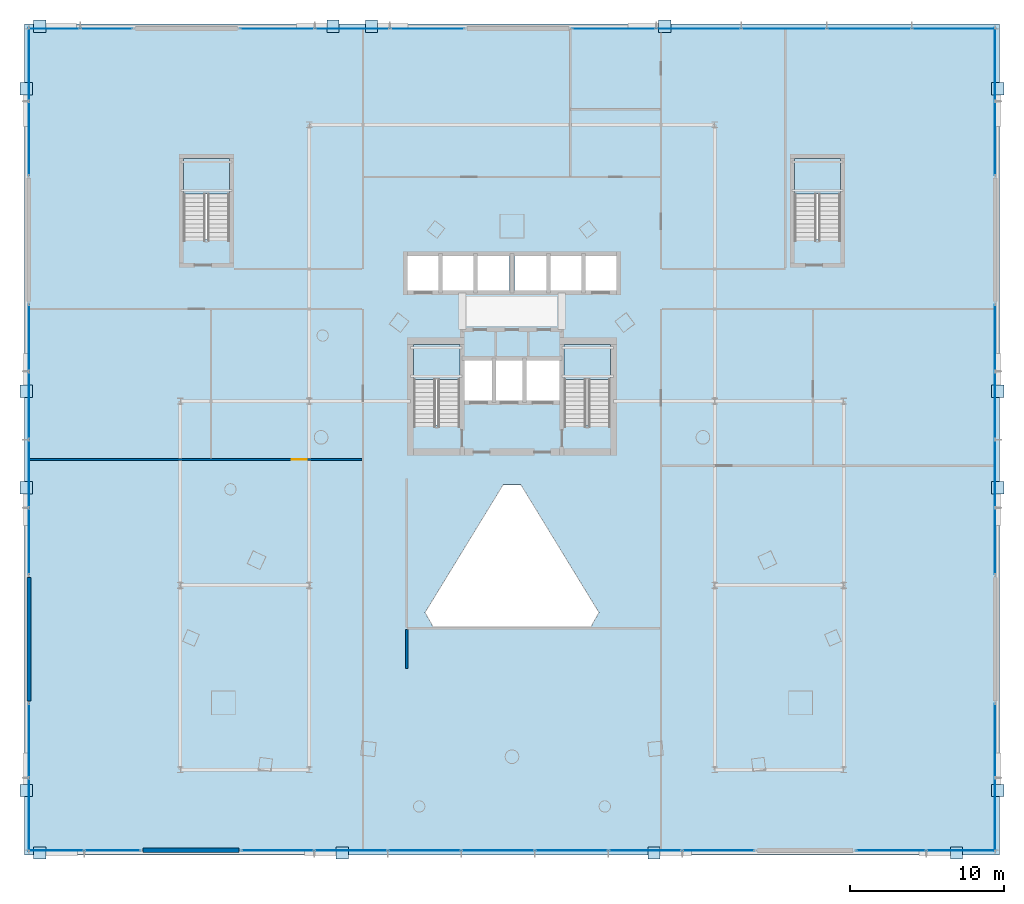
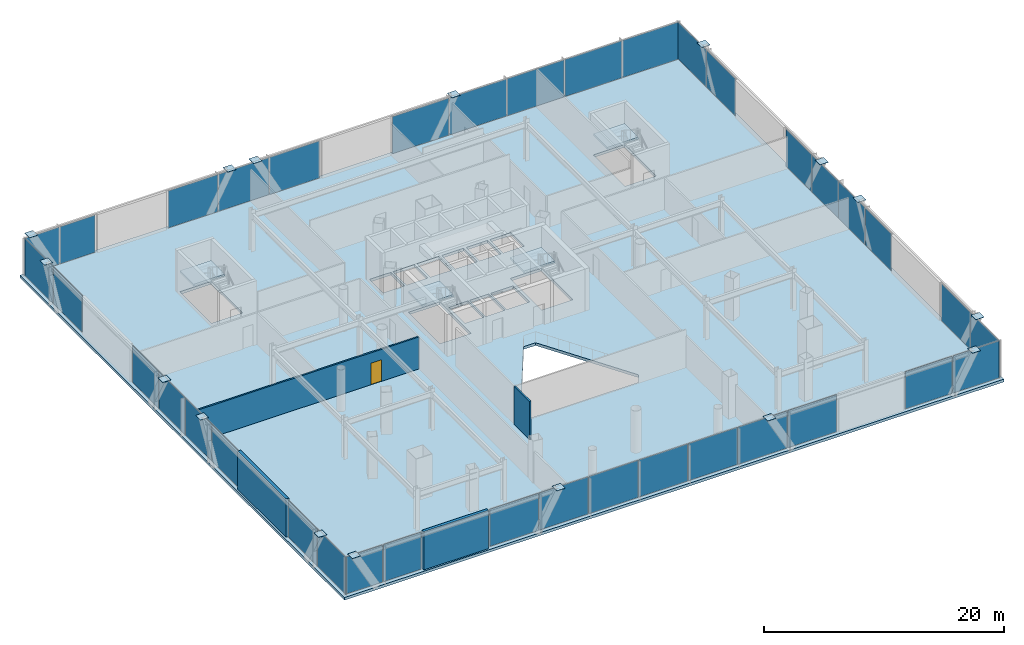
# One storey, part 36 of 46: 53 plates, 5 slabs, 4 walls, 1 door, 1 opening, 16 elements without a shape of their own.
"""IFC4 building model written with IfcOpenShell, lengths in metres."""

import ifcopenshell
import ifcopenshell.guid

model = None  # the IFC model being written
_history = None  # IfcOwnerHistory: only IFC2X3 demands one
_inside = {}  # id of a spatial element -> (the spatial element, [elements in it])
_under = {}  # id of a project, library or spatial element -> (it, [spatial elements below it])
_declared = {}  # id of a project -> (the project, [libraries it declares])
_typed = {}  # id of a type object -> (the type object, [elements of that type])
_made_of = {}  # id of a material, layer set ... -> (it, [elements and type objects made of it])


def new_model(schema):
    """Start an empty IFC model of exactly this schema.

    Asked for "IFC4X3", IfcOpenShell would pick the latest addendum, in which some entities
    have other attributes; the version numbers below select the first issue.
    IFC2X3 requires an IfcOwnerHistory on every rooted entity: one is made here for all.
    """
    global model, _history
    if schema == "IFC4X3":
        model = ifcopenshell.file(schema_version=(4, 3, 0, 0))
    else:
        model = ifcopenshell.file(schema=schema)
    _inside.clear()
    _under.clear()
    _declared.clear()
    _typed.clear()
    _made_of.clear()
    _history = None
    if model.schema == "IFC2X3":
        org = make("IfcOrganization", Name="unknown")
        user = make(
            "IfcPersonAndOrganization",
            ThePerson=make("IfcPerson", FamilyName="unknown"),
            TheOrganization=org,
        )
        app = make(
            "IfcApplication",
            ApplicationDeveloper=org,
            Version="unknown",
            ApplicationFullName="unknown",
            ApplicationIdentifier="unknown",
        )
        _history = make(
            "IfcOwnerHistory",
            OwningUser=user,
            OwningApplication=app,
            ChangeAction="ADDED",
            CreationDate=0,
        )
    return model


def make(cls, **values):
    """One entity of the class cls with the attributes given. An attribute that is None is left unset."""
    return model.create_entity(
        cls, **{name: value for name, value in values.items() if value is not None}
    )


def rooted(cls, **values):
    """An entity with a GlobalId (a new one), such as an element, a storey or a relation."""
    return make(cls, GlobalId=ifcopenshell.guid.new(), OwnerHistory=_history, **values)


def si_unit(unit_type, name, prefix=None):
    """IfcSIUnit, for example si_unit("LENGTHUNIT", "METRE", prefix="MILLI")."""
    return make("IfcSIUnit", UnitType=unit_type, Prefix=prefix, Name=name)


def assignment(units):
    """IfcUnitAssignment: the units of a project."""
    return None if units is None else make("IfcUnitAssignment", Units=units)


def point(xyz):
    """IfcCartesianPoint."""
    return None if xyz is None else make("IfcCartesianPoint", Coordinates=xyz)


def direction(xyz):
    """IfcDirection."""
    return None if xyz is None else make("IfcDirection", DirectionRatios=xyz)


def frame(location, z_axis=None, x_axis=None):
    """IfcAxis2Placement3D, a coordinate frame: its origin and axes. An axis left out is left unset."""
    return make(
        "IfcAxis2Placement3D",
        Location=point(location),
        Axis=direction(z_axis),
        RefDirection=direction(x_axis),
    )


def frame_2d(location, x_axis=None):
    """IfcAxis2Placement2D, a coordinate frame in the plane: its origin and x axis."""
    return make(
        "IfcAxis2Placement2D", Location=point(location), RefDirection=direction(x_axis)
    )


def origin():
    """The frame at (0, 0, 0) with its axes left unset."""
    return frame((0.0, 0.0, 0.0))


def origin_2d():
    """The frame at (0, 0) in the plane with its x axis left unset."""
    return frame_2d((0.0, 0.0))


def place(relative_to, where):
    """IfcLocalPlacement: puts the frame where relative to a parent placement (None: the world)."""
    return make(
        "IfcLocalPlacement", PlacementRelTo=relative_to, RelativePlacement=where
    )


def context(
    kind, dimensions, precision=None, world=None, true_north=None, identifier=None
):
    """IfcGeometricRepresentationContext, for example the 3D "Model" context."""
    return make(
        "IfcGeometricRepresentationContext",
        ContextIdentifier=identifier,
        ContextType=kind,
        CoordinateSpaceDimension=dimensions,
        Precision=precision,
        WorldCoordinateSystem=world,
        TrueNorth=true_north,
    )


def subcontext(parent, identifier, kind, view, scale=None):
    """IfcGeometricRepresentationSubContext, for example "Body" below "Model"."""
    return make(
        "IfcGeometricRepresentationSubContext",
        ContextIdentifier=identifier,
        ContextType=kind,
        ParentContext=parent,
        TargetScale=scale,
        TargetView=view,
    )


def project(units=None, contexts=None):
    """IfcProject with its units and contexts."""
    return rooted(
        "IfcProject",
        Name="project",
        RepresentationContexts=contexts,
        UnitsInContext=assignment(units),
    )


def spatial(cls, under=None, at=None, **own):
    """A site, building, storey or space (cls), placed at a placement, below another one or the project."""
    s = rooted(cls, ObjectPlacement=at, **own)
    if under is not None:
        _under.setdefault(under.id(), (under, []))[1].append(s)
    return s


def polyline(points):
    """IfcPolyline through the points."""
    return make("IfcPolyline", Points=[point(p) for p in points])


def profile(cls, at=None, kind="AREA", **sizes):
    """A parametric profile (cls). Its sizes go by their IFC names, for example OverallWidth=200.0."""
    return make(cls, ProfileType=kind, Position=at, **sizes)


def rectangle(**sizes):
    """IfcRectangleProfileDef."""
    return profile("IfcRectangleProfileDef", **sizes)


def outline(outer, holes=None, kind="AREA"):
    """IfcArbitraryClosedProfileDef: a profile drawn as a closed curve; with holes, ...WithVoids."""
    if holes is None:
        return make("IfcArbitraryClosedProfileDef", ProfileType=kind, OuterCurve=outer)
    return make(
        "IfcArbitraryProfileDefWithVoids",
        ProfileType=kind,
        OuterCurve=outer,
        InnerCurves=holes,
    )


def extrude(swept, where, along, depth):
    """IfcExtrudedAreaSolid: the profile swept, set in the frame where, extruded along a direction by depth."""
    return make(
        "IfcExtrudedAreaSolid",
        SweptArea=swept,
        Position=where,
        ExtrudedDirection=direction(along),
        Depth=depth,
    )


def shape(context_of_items, identifier, shape_type, items):
    """IfcShapeRepresentation: the items that make up one representation, for example the "Body"."""
    return make(
        "IfcShapeRepresentation",
        ContextOfItems=context_of_items,
        RepresentationIdentifier=identifier,
        RepresentationType=shape_type,
        Items=items,
    )


def material(Name=None, Category=None):
    """IfcMaterial."""
    return make("IfcMaterial", Name=Name, Category=Category)


def layer(
    of_material, thickness, ventilated=None, Name=None, Category=None, Priority=None
):
    """IfcMaterialLayer: one layer of a wall or slab, of a material (None: an air gap)."""
    return make(
        "IfcMaterialLayer",
        Material=of_material,
        LayerThickness=thickness,
        IsVentilated=ventilated,
        Name=Name,
        Category=Category,
        Priority=Priority,
    )


def layer_set(layers, Name=None):
    """IfcMaterialLayerSet."""
    return make("IfcMaterialLayerSet", MaterialLayers=layers, LayerSetName=Name)


def made_of(thing, what):
    """Note that an element or type object is made of a material, layer set ...; save() writes the relation."""
    if what is not None:
        _made_of.setdefault(what.id(), (what, []))[1].append(thing)
    return thing


def type_object(cls, material=None, **own):
    """A type object (cls), such as IfcWallType, which elements share."""
    return made_of(rooted(cls, **own), material)


def element(
    cls,
    number,
    at=None,
    inside=None,
    cuts=None,
    type_object=None,
    material=None,
    context=None,
    identifier="Body",
    shape_type=None,
    held_by="IfcProductDefinitionShape",
    body=None,
    shapes=None,
    **own,
):
    """One element of the class cls, such as IfcWall. Its Tag is "e" and its number.

    at: its placement. inside: the storey or other place that contains it. cuts: it is an
    opening in that element (IfcRelVoidsElement). A single representation is given by context,
    identifier, shape_type and body (its items); several are given by shapes. held_by: the class
    of the entity that holds the representations. save() writes the other relations.
    """
    e = rooted(cls, Tag="e%d" % number, ObjectPlacement=at, **own)
    if body is not None:
        shapes = [shape(context, identifier, shape_type, body)]
    if shapes is not None:
        e.Representation = make(held_by, Representations=shapes)
    if inside is not None:
        _inside.setdefault(inside.id(), (inside, []))[1].append(e)
    if cuts is not None:
        rooted(
            "IfcRelVoidsElement", RelatingBuildingElement=cuts, RelatedOpeningElement=e
        )
    if type_object is not None:
        _typed.setdefault(type_object.id(), (type_object, []))[1].append(e)
    return made_of(e, material)


def fill(opening, filler):
    """IfcRelFillsElement: the door or window that sits in an opening."""
    return rooted(
        "IfcRelFillsElement",
        RelatingOpeningElement=opening,
        RelatedBuildingElement=filler,
    )


def aggregate(whole, parts):
    """IfcRelAggregates: a whole, such as a stair, and the parts it consists of."""
    return rooted("IfcRelAggregates", RelatingObject=whole, RelatedObjects=parts)


def save(model, path):
    """Write the relations noted so far, then the file.

    IfcRelAggregates (storeys below a building ...), IfcRelContainedInSpatialStructure (elements
    in a storey), IfcRelDefinesByType, IfcRelAssociatesMaterial and IfcRelDeclares: one each for
    every whole, place, type object, material and project.
    """
    for whole, parts in _under.values():
        aggregate(whole, parts)
    for where, things in _inside.values():
        rooted(
            "IfcRelContainedInSpatialStructure",
            RelatedElements=things,
            RelatingStructure=where,
        )
    for kind, things in _typed.values():
        rooted("IfcRelDefinesByType", RelatedObjects=things, RelatingType=kind)
    for what, things in _made_of.values():
        rooted("IfcRelAssociatesMaterial", RelatedObjects=things, RelatingMaterial=what)
    for by, libraries in _declared.values():
        rooted("IfcRelDeclares", RelatingContext=by, RelatedDefinitions=libraries)
    model.write(path)


model = new_model("IFC4")

# Units and contexts
model_context = context("Model", 3, precision=1e-05, world=origin(), true_north=direction((0.0, 1.0)))
body_context = subcontext(model_context, "Body", "Model", "MODEL_VIEW")
ifc_project = project(units=[si_unit("LENGTHUNIT", "METRE"), si_unit("AREAUNIT", "SQUARE_METRE"), si_unit("VOLUMEUNIT", "CUBIC_METRE"), si_unit("PLANEANGLEUNIT", "RADIAN"), si_unit("MASSUNIT", "GRAM", prefix="KILO")], contexts=[model_context])

# Site, building, storey
site_placement = place(None, origin())
site = spatial("IfcSite", under=ifc_project, at=site_placement, CompositionType="ELEMENT")
building_placement = place(site_placement, origin())
building = spatial("IfcBuilding", under=site, at=building_placement, Name="Orvanel Arch Residences", CompositionType="ELEMENT")
storey_placement = place(building_placement, frame((0.0, 0.0, 14.10009765625)))
storey = spatial("IfcBuildingStorey", under=building, at=storey_placement, Name="L03", CompositionType="ELEMENT", Elevation=14.10009765625)

# Plates
ifc_material_1 = material(Name="Structural steel AS/NZS 3678 Grade 350", Category="steel")
ifc_layer_1 = layer(ifc_material_1, 0.031982421875)
ifc_layer_set_1 = layer_set([ifc_layer_1], Name="Structural steel AS/NZS 3678 Grade 350")
plate_type_1 = type_object("IfcPlateType", Name="PL-CAP-32", PredefinedType="SHEET", material=ifc_layer_set_1)
for number, where, z_axis, x_axis, name in (
    (1, (2.25, 0.580078125, 3.8837890625), (0.0, 0.0, 1.0), (1.0, 0.0, 0.0), "L03 hollow member end cap plate"),
    (2, (21.949951171875, 0.580078125, 3.8837890625), (0.0, 0.0, 1.0), (1.0, 0.0, 0.0), "L03 hollow member end cap plate"),
    (3, (42.25, 0.580078125, 3.8837890625), (0.0, 0.0, 1.0), (1.0, 0.0, 0.0), "L03 hollow member end cap plate"),
    (4, (61.949951171875, 0.580078125, 3.8837890625), (0.0, 0.0, 1.0), (1.0, 0.0, 0.0), "L03 hollow member end cap plate"),
    (5, (1.360107421875, 4.64990234375, 3.8837890625), (0.0, 0.0, 1.0), (0.0, 1.0, 0.0), "L03 hollow member end cap plate"),
    (6, (1.360107421875, 24.35009765625, 3.8837890625), (0.0, 0.0, 1.0), (0.0, 1.0, 0.0), "L03 hollow member end cap plate"),
    (7, (1.360107421875, 30.64990234375, 3.8837890625), (0.0, 0.0, 1.0), (0.0, 1.0, 0.0), "L03 hollow member end cap plate"),
    (8, (1.360107421875, 50.35009765625, 3.8837890625), (0.0, 0.0, 1.0), (0.0, 1.0, 0.0), "L03 hollow member end cap plate"),
    (9, (64.639892578125, 4.64990234375, 3.8837890625), (0.0, 0.0, 1.0), (0.0, 1.0, 0.0), "L03 hollow member end cap plate"),
    (10, (64.639892578125, 24.35009765625, 3.8837890625), (0.0, 0.0, 1.0), (0.0, 1.0, 0.0), "L03 hollow member end cap plate"),
    (11, (64.639892578125, 30.64990234375, 3.8837890625), (0.0, 0.0, 1.0), (0.0, 1.0, 0.0), "L03 hollow member end cap plate"),
    (12, (64.639892578125, 50.35009765625, 3.8837890625), (0.0, 0.0, 1.0), (0.0, 1.0, 0.0), "L03 hollow member end cap plate"),
    (13, (2.25, 54.419921875, 3.8837890625), (0.0, 0.0, 1.0), (1.0, 0.0, 0.0), "L03 hollow member end cap plate"),
    (14, (21.35009765625, 54.419921875, 3.8837890625), (0.0, 0.0, 1.0), (1.0, 0.0, 0.0), "L03 hollow member end cap plate"),
    (15, (23.85009765625, 54.419921875, 3.8837890625), (0.0, 0.0, 1.0), (1.0, 0.0, 0.0), "L03 hollow member end cap plate"),
    (16, (42.949951171875, 54.419921875, 3.8837890625), (0.0, 0.0, 1.0), (1.0, 0.0, 0.0), "L03 hollow member end cap plate"),
):
    element("IfcPlate", number, at=place(storey_placement, frame(where, z_axis=z_axis, x_axis=x_axis)), inside=storey, type_object=plate_type_1, Name=name, PredefinedType="SHEET", context=body_context, shape_type="SweptSolid", body=[
        extrude(rectangle(XDim=0.800048828125, YDim=0.800048828125, at=origin_2d()), origin(), (0.0, 0.0, 1.0), 0.031982421875),
    ])

# Curtain wall, plates
ifc_material_2 = material(Name="Bronze-anodised aluminium AA6063-T6", Category="aluminium")
ifc_layer_2 = layer(ifc_material_2, 0.199951171875)
ifc_layer_set_2 = layer_set([ifc_layer_2], Name="Bronze-anodised aluminium AA6063-T6")
curtain_wall_type = type_object("IfcCurtainWallType", Name="CW1-POD-SYS", PredefinedType="NOTDEFINED", material=ifc_layer_set_2)
curtain_wall_1_placement = place(storey_placement, origin())
curtain_wall_1 = element("IfcCurtainWall", 17, at=curtain_wall_1_placement, inside=storey, type_object=curtain_wall_type, Name="L03 CW1-POD-SYS Unitised Curtain Wall", PredefinedType="NOTDEFINED")
ifc_material_3 = material(Name="Double-glazed solar-control low-E safety glass", Category="glass")
ifc_layer_3 = layer(ifc_material_3, 0.031982421875)
ifc_layer_set_3 = layer_set([ifc_layer_3], Name="Double-glazed solar-control low-E safety glass")
plate_type_2 = type_object("IfcPlateType", Name="PNL-GLZ-32", PredefinedType="CURTAIN_PANEL", material=ifc_layer_set_3)
plate_1_placement = place(storey_placement, frame((3.291259765625, 0.75, 0.06494140625), z_axis=(0.0, 0.0, 1.0), x_axis=(1.0, 0.0, 0.0)))
plate_1 = element("IfcPlate", 18, at=plate_1_placement, type_object=plate_type_2, Name="CW-S1 panel 1.1", PredefinedType="CURTAIN_PANEL", context=body_context, shape_type="SweptSolid", body=[
    extrude(rectangle(XDim=3.612548828125, YDim=0.031982421875, at=origin_2d()), origin(), (0.0, 0.0, 1.0), 3.77001953125),
])
plate_2_placement = place(storey_placement, frame((6.978759765625, 0.75, 0.06494140625), z_axis=(0.0, 0.0, 1.0), x_axis=(1.0, 0.0, 0.0)))
plate_2 = element("IfcPlate", 19, at=plate_2_placement, type_object=plate_type_2, Name="CW-S1 panel 2.1", PredefinedType="CURTAIN_PANEL", context=body_context, shape_type="SweptSolid", body=[
    extrude(rectangle(XDim=3.612548828125, YDim=0.031982421875, at=origin_2d()), origin(), (0.0, 0.0, 1.0), 3.77001953125),
])
aggregate(curtain_wall_1, [plate_1, plate_2])

curtain_wall_2_placement = place(storey_placement, origin())
curtain_wall_2 = element("IfcCurtainWall", 20, at=curtain_wall_2_placement, inside=storey, type_object=curtain_wall_type, Name="L03 CW1-POD-SYS Unitised Curtain Wall", PredefinedType="NOTDEFINED")
plate_3_placement = place(storey_placement, frame((17.7529296875, 0.75, 0.06494140625), z_axis=(0.0, 0.0, 1.0), x_axis=(1.0, 0.0, 0.0)))
plate_3 = element("IfcPlate", 21, at=plate_3_placement, type_object=plate_type_2, Name="CW-S1 panel 1.1", PredefinedType="CURTAIN_PANEL", context=body_context, shape_type="SweptSolid", body=[
    extrude(rectangle(XDim=4.676025390625, YDim=0.031982421875, at=origin_2d()), origin(), (0.0, 0.0, 1.0), 3.77001953125),
])
plate_4_placement = place(storey_placement, frame((22.52294921875, 0.75, 0.06494140625), z_axis=(0.0, 0.0, 1.0), x_axis=(1.0, 0.0, 0.0)))
plate_4 = element("IfcPlate", 22, at=plate_4_placement, type_object=plate_type_2, Name="CW-S1 panel 2.1", PredefinedType="CURTAIN_PANEL", context=body_context, shape_type="SweptSolid", body=[
    extrude(rectangle(XDim=4.713623046875, YDim=0.031982421875, at=origin_2d()), origin(), (0.0, 0.0, 1.0), 3.77001953125),
])
plate_5_placement = place(storey_placement, frame((27.3115234375, 0.75, 0.06494140625), z_axis=(0.0, 0.0, 1.0), x_axis=(1.0, 0.0, 0.0)))
plate_5 = element("IfcPlate", 23, at=plate_5_placement, type_object=plate_type_2, Name="CW-S1 panel 3.1", PredefinedType="CURTAIN_PANEL", context=body_context, shape_type="SweptSolid", body=[
    extrude(rectangle(XDim=4.713623046875, YDim=0.031982421875, at=origin_2d()), origin(), (0.0, 0.0, 1.0), 3.77001953125),
])
plate_6_placement = place(storey_placement, frame((32.10009765625, 0.75, 0.06494140625), z_axis=(0.0, 0.0, 1.0), x_axis=(1.0, 0.0, 0.0)))
plate_6 = element("IfcPlate", 24, at=plate_6_placement, type_object=plate_type_2, Name="CW-S1 panel 4.1", PredefinedType="CURTAIN_PANEL", context=body_context, shape_type="SweptSolid", body=[
    extrude(rectangle(XDim=4.713623046875, YDim=0.031982421875, at=origin_2d()), origin(), (0.0, 0.0, 1.0), 3.77001953125),
])
plate_7_placement = place(storey_placement, frame((36.888671875, 0.75, 0.06494140625), z_axis=(0.0, 0.0, 1.0), x_axis=(1.0, 0.0, 0.0)))
plate_7 = element("IfcPlate", 25, at=plate_7_placement, type_object=plate_type_2, Name="CW-S1 panel 5.1", PredefinedType="CURTAIN_PANEL", context=body_context, shape_type="SweptSolid", body=[
    extrude(rectangle(XDim=4.713623046875, YDim=0.031982421875, at=origin_2d()), origin(), (0.0, 0.0, 1.0), 3.77001953125),
])
plate_8_placement = place(storey_placement, frame((41.67724609375, 0.75, 0.06494140625), z_axis=(0.0, 0.0, 1.0), x_axis=(1.0, 0.0, 0.0)))
plate_8 = element("IfcPlate", 26, at=plate_8_placement, type_object=plate_type_2, Name="CW-S1 panel 6.1", PredefinedType="CURTAIN_PANEL", context=body_context, shape_type="SweptSolid", body=[
    extrude(rectangle(XDim=4.713623046875, YDim=0.031982421875, at=origin_2d()), origin(), (0.0, 0.0, 1.0), 3.77001953125),
])
plate_9_placement = place(storey_placement, frame((46.447021484375, 0.75, 0.06494140625), z_axis=(0.0, 0.0, 1.0), x_axis=(1.0, 0.0, 0.0)))
plate_9 = element("IfcPlate", 27, at=plate_9_placement, type_object=plate_type_2, Name="CW-S1 panel 7.1", PredefinedType="CURTAIN_PANEL", context=body_context, shape_type="SweptSolid", body=[
    extrude(rectangle(XDim=4.676025390625, YDim=0.031982421875, at=origin_2d()), origin(), (0.0, 0.0, 1.0), 3.77001953125),
])
aggregate(curtain_wall_2, [plate_3, plate_4, plate_5, plate_6, plate_7, plate_8, plate_9])

curtain_wall_3_placement = place(storey_placement, origin())
curtain_wall_3 = element("IfcCurtainWall", 28, at=curtain_wall_3_placement, inside=storey, type_object=curtain_wall_type, Name="L03 CW1-POD-SYS Unitised Curtain Wall", PredefinedType="NOTDEFINED")
plate_10_placement = place(storey_placement, frame((57.671142578125, 0.75, 0.06494140625), z_axis=(0.0, 0.0, 1.0), x_axis=(1.0, 0.0, 0.0)))
plate_10 = element("IfcPlate", 29, at=plate_10_placement, type_object=plate_type_2, Name="CW-S1 panel 1.1", PredefinedType="CURTAIN_PANEL", context=body_context, shape_type="SweptSolid", body=[
    extrude(rectangle(XDim=4.512451171875, YDim=0.031982421875, at=origin_2d()), origin(), (0.0, 0.0, 1.0), 3.77001953125),
])
plate_11_placement = place(storey_placement, frame((62.2587890625, 0.75, 0.06494140625), z_axis=(0.0, 0.0, 1.0), x_axis=(1.0, 0.0, 0.0)))
plate_11 = element("IfcPlate", 30, at=plate_11_placement, type_object=plate_type_2, Name="CW-S1 panel 2.1", PredefinedType="CURTAIN_PANEL", context=body_context, shape_type="SweptSolid", body=[
    extrude(rectangle(XDim=4.512451171875, YDim=0.031982421875, at=origin_2d()), origin(), (0.0, 0.0, 1.0), 3.77001953125),
])
aggregate(curtain_wall_3, [plate_10, plate_11])

curtain_wall_4_placement = place(storey_placement, origin())
curtain_wall_4 = element("IfcCurtainWall", 31, at=curtain_wall_4_placement, inside=storey, type_object=curtain_wall_type, Name="L03 CW1-POD-SYS Unitised Curtain Wall", PredefinedType="NOTDEFINED")
plate_12_placement = place(storey_placement, frame((61.796142578125, 54.25, 0.06494140625), z_axis=(0.0, 0.0, 1.0), x_axis=(-1.0, 0.0, 0.0)))
plate_12 = element("IfcPlate", 32, at=plate_12_placement, type_object=plate_type_2, Name="CW-S1 panel 1.1", PredefinedType="CURTAIN_PANEL", context=body_context, shape_type="SweptSolid", body=[
    extrude(rectangle(XDim=5.4375, YDim=0.031982421875, at=origin_2d()), origin(), (0.0, 0.0, 1.0), 3.77001953125),
])
plate_13_placement = place(storey_placement, frame((56.264892578125, 54.25, 0.06494140625), z_axis=(0.0, 0.0, 1.0), x_axis=(-1.0, 0.0, 0.0)))
plate_13 = element("IfcPlate", 33, at=plate_13_placement, type_object=plate_type_2, Name="CW-S1 panel 2.1", PredefinedType="CURTAIN_PANEL", context=body_context, shape_type="SweptSolid", body=[
    extrude(rectangle(XDim=5.47509765625, YDim=0.031982421875, at=origin_2d()), origin(), (0.0, 0.0, 1.0), 3.77001953125),
])
plate_14_placement = place(storey_placement, frame((50.715087890625, 54.25, 0.06494140625), z_axis=(0.0, 0.0, 1.0), x_axis=(-1.0, 0.0, 0.0)))
plate_14 = element("IfcPlate", 34, at=plate_14_placement, type_object=plate_type_2, Name="CW-S1 panel 3.1", PredefinedType="CURTAIN_PANEL", context=body_context, shape_type="SweptSolid", body=[
    extrude(rectangle(XDim=5.47509765625, YDim=0.031982421875, at=origin_2d()), origin(), (0.0, 0.0, 1.0), 3.77001953125),
])
plate_15_placement = place(storey_placement, frame((45.1650390625, 54.25, 0.06494140625), z_axis=(0.0, 0.0, 1.0), x_axis=(-1.0, 0.0, 0.0)))
plate_15 = element("IfcPlate", 35, at=plate_15_placement, type_object=plate_type_2, Name="CW-S1 panel 4.1", PredefinedType="CURTAIN_PANEL", context=body_context, shape_type="SweptSolid", body=[
    extrude(rectangle(XDim=5.47509765625, YDim=0.031982421875, at=origin_2d()), origin(), (0.0, 0.0, 1.0), 3.77001953125),
])
plate_16_placement = place(storey_placement, frame((39.6337890625, 54.25, 0.06494140625), z_axis=(0.0, 0.0, 1.0), x_axis=(-1.0, 0.0, 0.0)))
plate_16 = element("IfcPlate", 36, at=plate_16_placement, type_object=plate_type_2, Name="CW-S1 panel 5.1", PredefinedType="CURTAIN_PANEL", context=body_context, shape_type="SweptSolid", body=[
    extrude(rectangle(XDim=5.4375, YDim=0.031982421875, at=origin_2d()), origin(), (0.0, 0.0, 1.0), 3.77001953125),
])
aggregate(curtain_wall_4, [plate_12, plate_13, plate_14, plate_15, plate_16])

curtain_wall_5_placement = place(storey_placement, origin())
curtain_wall_5 = element("IfcCurtainWall", 37, at=curtain_wall_5_placement, inside=storey, type_object=curtain_wall_type, Name="L03 CW1-POD-SYS Unitised Curtain Wall", PredefinedType="NOTDEFINED")
plate_17_placement = place(storey_placement, frame((27.488037109375, 54.25, 0.06494140625), z_axis=(0.0, 0.0, 1.0), x_axis=(-1.0, 0.0, 0.0)))
plate_17 = element("IfcPlate", 38, at=plate_17_placement, type_object=plate_type_2, Name="CW-S1 panel 1.1", PredefinedType="CURTAIN_PANEL", context=body_context, shape_type="SweptSolid", body=[
    extrude(rectangle(XDim=4.794189453125, YDim=0.031982421875, at=origin_2d()), origin(), (0.0, 0.0, 1.0), 3.77001953125),
])
plate_18_placement = place(storey_placement, frame((22.60009765625, 54.25, 0.06494140625), z_axis=(0.0, 0.0, 1.0), x_axis=(-1.0, 0.0, 0.0)))
plate_18 = element("IfcPlate", 39, at=plate_18_placement, type_object=plate_type_2, Name="CW-S1 panel 2.1", PredefinedType="CURTAIN_PANEL", context=body_context, shape_type="SweptSolid", body=[
    extrude(rectangle(XDim=4.831787109375, YDim=0.031982421875, at=origin_2d()), origin(), (0.0, 0.0, 1.0), 3.77001953125),
])
plate_19_placement = place(storey_placement, frame((17.712158203125, 54.25, 0.06494140625), z_axis=(0.0, 0.0, 1.0), x_axis=(-1.0, 0.0, 0.0)))
plate_19 = element("IfcPlate", 40, at=plate_19_placement, type_object=plate_type_2, Name="CW-S1 panel 3.1", PredefinedType="CURTAIN_PANEL", context=body_context, shape_type="SweptSolid", body=[
    extrude(rectangle(XDim=4.794189453125, YDim=0.031982421875, at=origin_2d()), origin(), (0.0, 0.0, 1.0), 3.77001953125),
])
aggregate(curtain_wall_5, [plate_17, plate_18, plate_19])

curtain_wall_6_placement = place(storey_placement, origin())
curtain_wall_6 = element("IfcCurtainWall", 41, at=curtain_wall_6_placement, inside=storey, type_object=curtain_wall_type, Name="L03 CW1-POD-SYS Unitised Curtain Wall", PredefinedType="NOTDEFINED")
plate_20_placement = place(storey_placement, frame((6.603759765625, 54.25, 0.06494140625), z_axis=(0.0, 0.0, 1.0), x_axis=(-1.0, 0.0, 0.0)))
plate_20 = element("IfcPlate", 42, at=plate_20_placement, type_object=plate_type_2, Name="CW-S1 panel 1.1", PredefinedType="CURTAIN_PANEL", context=body_context, shape_type="SweptSolid", body=[
    extrude(rectangle(XDim=3.362548828125, YDim=0.031982421875, at=origin_2d()), origin(), (0.0, 0.0, 1.0), 3.77001953125),
])
plate_21_placement = place(storey_placement, frame((3.166259765625, 54.25, 0.06494140625), z_axis=(0.0, 0.0, 1.0), x_axis=(-1.0, 0.0, 0.0)))
plate_21 = element("IfcPlate", 43, at=plate_21_placement, type_object=plate_type_2, Name="CW-S1 panel 2.1", PredefinedType="CURTAIN_PANEL", context=body_context, shape_type="SweptSolid", body=[
    extrude(rectangle(XDim=3.362548828125, YDim=0.031982421875, at=origin_2d()), origin(), (0.0, 0.0, 1.0), 3.77001953125),
])
aggregate(curtain_wall_6, [plate_20, plate_21])

curtain_wall_7_placement = place(storey_placement, origin())
curtain_wall_7 = element("IfcCurtainWall", 44, at=curtain_wall_7_placement, inside=storey, type_object=curtain_wall_type, Name="L03 CW1-POD-SYS Unitised Curtain Wall", PredefinedType="NOTDEFINED")
plate_22_placement = place(storey_placement, frame((64.449951171875, 3.066162109375, 0.06494140625), z_axis=(0.0, 0.0, 1.0), x_axis=(0.0, 1.0, 0.0)))
plate_22 = element("IfcPlate", 45, at=plate_22_placement, type_object=plate_type_2, Name="CW-S1 panel 1.1", PredefinedType="CURTAIN_PANEL", context=body_context, shape_type="SweptSolid", body=[
    extrude(rectangle(XDim=4.762451171875, YDim=0.031982421875, at=origin_2d()), origin(), (0.0, 0.0, 1.0), 3.77001953125),
])
plate_23_placement = place(storey_placement, frame((64.449951171875, 7.90380859375, 0.06494140625), z_axis=(0.0, 0.0, 1.0), x_axis=(0.0, 1.0, 0.0)))
plate_23 = element("IfcPlate", 46, at=plate_23_placement, type_object=plate_type_2, Name="CW-S1 panel 2.1", PredefinedType="CURTAIN_PANEL", context=body_context, shape_type="SweptSolid", body=[
    extrude(rectangle(XDim=4.762451171875, YDim=0.031982421875, at=origin_2d()), origin(), (0.0, 0.0, 1.0), 3.77001953125),
])
aggregate(curtain_wall_7, [plate_22, plate_23])

curtain_wall_8_placement = place(storey_placement, origin())
curtain_wall_8 = element("IfcCurtainWall", 47, at=curtain_wall_8_placement, inside=storey, type_object=curtain_wall_type, Name="L03 CW1-POD-SYS Unitised Curtain Wall", PredefinedType="NOTDEFINED")
plate_24_placement = place(storey_placement, frame((64.449951171875, 20.873779296875, 0.06494140625), z_axis=(0.0, 0.0, 1.0), x_axis=(0.0, 1.0, 0.0)))
plate_24 = element("IfcPlate", 48, at=plate_24_placement, type_object=plate_type_2, Name="CW-S1 panel 1.1", PredefinedType="CURTAIN_PANEL", context=body_context, shape_type="SweptSolid", body=[
    extrude(rectangle(XDim=4.3173828125, YDim=0.031982421875, at=origin_2d()), origin(), (0.0, 0.0, 1.0), 3.77001953125),
])
plate_25_placement = place(storey_placement, frame((64.449951171875, 25.284912109375, 0.06494140625), z_axis=(0.0, 0.0, 1.0), x_axis=(0.0, 1.0, 0.0)))
plate_25 = element("IfcPlate", 49, at=plate_25_placement, type_object=plate_type_2, Name="CW-S1 panel 2.1", PredefinedType="CURTAIN_PANEL", context=body_context, shape_type="SweptSolid", body=[
    extrude(rectangle(XDim=4.35498046875, YDim=0.031982421875, at=origin_2d()), origin(), (0.0, 0.0, 1.0), 3.77001953125),
])
plate_26_placement = place(storey_placement, frame((64.449951171875, 29.715087890625, 0.06494140625), z_axis=(0.0, 0.0, 1.0), x_axis=(0.0, 1.0, 0.0)))
plate_26 = element("IfcPlate", 50, at=plate_26_placement, type_object=plate_type_2, Name="CW-S1 panel 3.1", PredefinedType="CURTAIN_PANEL", context=body_context, shape_type="SweptSolid", body=[
    extrude(rectangle(XDim=4.35498046875, YDim=0.031982421875, at=origin_2d()), origin(), (0.0, 0.0, 1.0), 3.77001953125),
])
plate_27_placement = place(storey_placement, frame((64.449951171875, 34.126220703125, 0.06494140625), z_axis=(0.0, 0.0, 1.0), x_axis=(0.0, 1.0, 0.0)))
plate_27 = element("IfcPlate", 51, at=plate_27_placement, type_object=plate_type_2, Name="CW-S1 panel 4.1", PredefinedType="CURTAIN_PANEL", context=body_context, shape_type="SweptSolid", body=[
    extrude(rectangle(XDim=4.3173828125, YDim=0.031982421875, at=origin_2d()), origin(), (0.0, 0.0, 1.0), 3.77001953125),
])
aggregate(curtain_wall_8, [plate_24, plate_25, plate_26, plate_27])

curtain_wall_9_placement = place(storey_placement, origin())
curtain_wall_9 = element("IfcCurtainWall", 52, at=curtain_wall_9_placement, inside=storey, type_object=curtain_wall_type, Name="L03 CW1-POD-SYS Unitised Curtain Wall", PredefinedType="NOTDEFINED")
plate_28_placement = place(storey_placement, frame((64.449951171875, 47.09619140625, 0.06494140625), z_axis=(0.0, 0.0, 1.0), x_axis=(0.0, 1.0, 0.0)))
plate_28 = element("IfcPlate", 53, at=plate_28_placement, type_object=plate_type_2, Name="CW-S1 panel 1.1", PredefinedType="CURTAIN_PANEL", context=body_context, shape_type="SweptSolid", body=[
    extrude(rectangle(XDim=4.762451171875, YDim=0.031982421875, at=origin_2d()), origin(), (0.0, 0.0, 1.0), 3.77001953125),
])
plate_29_placement = place(storey_placement, frame((64.449951171875, 51.933837890625, 0.06494140625), z_axis=(0.0, 0.0, 1.0), x_axis=(0.0, 1.0, 0.0)))
plate_29 = element("IfcPlate", 54, at=plate_29_placement, type_object=plate_type_2, Name="CW-S1 panel 2.1", PredefinedType="CURTAIN_PANEL", context=body_context, shape_type="SweptSolid", body=[
    extrude(rectangle(XDim=4.762451171875, YDim=0.031982421875, at=origin_2d()), origin(), (0.0, 0.0, 1.0), 3.77001953125),
])
aggregate(curtain_wall_9, [plate_28, plate_29])

curtain_wall_10_placement = place(storey_placement, origin())
curtain_wall_10 = element("IfcCurtainWall", 55, at=curtain_wall_10_placement, inside=storey, type_object=curtain_wall_type, Name="L03 CW1-POD-SYS Unitised Curtain Wall", PredefinedType="NOTDEFINED")
plate_30_placement = place(storey_placement, frame((1.550048828125, 7.90380859375, 0.06494140625), z_axis=(0.0, 0.0, 1.0), x_axis=(0.0, -1.0, 0.0)))
plate_30 = element("IfcPlate", 56, at=plate_30_placement, type_object=plate_type_2, Name="CW-S1 panel 1.1", PredefinedType="CURTAIN_PANEL", context=body_context, shape_type="SweptSolid", body=[
    extrude(rectangle(XDim=4.762451171875, YDim=0.031982421875, at=origin_2d()), origin(), (0.0, 0.0, 1.0), 3.77001953125),
])
plate_31_placement = place(storey_placement, frame((1.550048828125, 3.066162109375, 0.06494140625), z_axis=(0.0, 0.0, 1.0), x_axis=(0.0, -1.0, 0.0)))
plate_31 = element("IfcPlate", 57, at=plate_31_placement, type_object=plate_type_2, Name="CW-S1 panel 2.1", PredefinedType="CURTAIN_PANEL", context=body_context, shape_type="SweptSolid", body=[
    extrude(rectangle(XDim=4.762451171875, YDim=0.031982421875, at=origin_2d()), origin(), (0.0, 0.0, 1.0), 3.77001953125),
])
aggregate(curtain_wall_10, [plate_30, plate_31])

curtain_wall_11_placement = place(storey_placement, origin())
curtain_wall_11 = element("IfcCurtainWall", 58, at=curtain_wall_11_placement, inside=storey, type_object=curtain_wall_type, Name="L03 CW1-POD-SYS Unitised Curtain Wall", PredefinedType="NOTDEFINED")
plate_32_placement = place(storey_placement, frame((1.550048828125, 34.126220703125, 0.06494140625), z_axis=(0.0, 0.0, 1.0), x_axis=(0.0, -1.0, 0.0)))
plate_32 = element("IfcPlate", 59, at=plate_32_placement, type_object=plate_type_2, Name="CW-S1 panel 1.1", PredefinedType="CURTAIN_PANEL", context=body_context, shape_type="SweptSolid", body=[
    extrude(rectangle(XDim=4.3173828125, YDim=0.031982421875, at=origin_2d()), origin(), (0.0, 0.0, 1.0), 3.77001953125),
])
plate_33_placement = place(storey_placement, frame((1.550048828125, 29.715087890625, 0.06494140625), z_axis=(0.0, 0.0, 1.0), x_axis=(0.0, -1.0, 0.0)))
plate_33 = element("IfcPlate", 60, at=plate_33_placement, type_object=plate_type_2, Name="CW-S1 panel 2.1", PredefinedType="CURTAIN_PANEL", context=body_context, shape_type="SweptSolid", body=[
    extrude(rectangle(XDim=4.35498046875, YDim=0.031982421875, at=origin_2d()), origin(), (0.0, 0.0, 1.0), 3.77001953125),
])
plate_34_placement = place(storey_placement, frame((1.550048828125, 25.284912109375, 0.06494140625), z_axis=(0.0, 0.0, 1.0), x_axis=(0.0, -1.0, 0.0)))
plate_34 = element("IfcPlate", 61, at=plate_34_placement, type_object=plate_type_2, Name="CW-S1 panel 3.1", PredefinedType="CURTAIN_PANEL", context=body_context, shape_type="SweptSolid", body=[
    extrude(rectangle(XDim=4.35498046875, YDim=0.031982421875, at=origin_2d()), origin(), (0.0, 0.0, 1.0), 3.77001953125),
])
plate_35_placement = place(storey_placement, frame((1.550048828125, 20.873779296875, 0.06494140625), z_axis=(0.0, 0.0, 1.0), x_axis=(0.0, -1.0, 0.0)))
plate_35 = element("IfcPlate", 62, at=plate_35_placement, type_object=plate_type_2, Name="CW-S1 panel 4.1", PredefinedType="CURTAIN_PANEL", context=body_context, shape_type="SweptSolid", body=[
    extrude(rectangle(XDim=4.3173828125, YDim=0.031982421875, at=origin_2d()), origin(), (0.0, 0.0, 1.0), 3.77001953125),
])
aggregate(curtain_wall_11, [plate_32, plate_33, plate_34, plate_35])

curtain_wall_12_placement = place(storey_placement, origin())
curtain_wall_12 = element("IfcCurtainWall", 63, at=curtain_wall_12_placement, inside=storey, type_object=curtain_wall_type, Name="L03 CW1-POD-SYS Unitised Curtain Wall", PredefinedType="NOTDEFINED")
plate_36_placement = place(storey_placement, frame((1.550048828125, 51.933837890625, 0.06494140625), z_axis=(0.0, 0.0, 1.0), x_axis=(0.0, -1.0, 0.0)))
plate_36 = element("IfcPlate", 64, at=plate_36_placement, type_object=plate_type_2, Name="CW-S1 panel 1.1", PredefinedType="CURTAIN_PANEL", context=body_context, shape_type="SweptSolid", body=[
    extrude(rectangle(XDim=4.762451171875, YDim=0.031982421875, at=origin_2d()), origin(), (0.0, 0.0, 1.0), 3.77001953125),
])
plate_37_placement = place(storey_placement, frame((1.550048828125, 47.09619140625, 0.06494140625), z_axis=(0.0, 0.0, 1.0), x_axis=(0.0, -1.0, 0.0)))
plate_37 = element("IfcPlate", 65, at=plate_37_placement, type_object=plate_type_2, Name="CW-S1 panel 2.1", PredefinedType="CURTAIN_PANEL", context=body_context, shape_type="SweptSolid", body=[
    extrude(rectangle(XDim=4.762451171875, YDim=0.031982421875, at=origin_2d()), origin(), (0.0, 0.0, 1.0), 3.77001953125),
])
aggregate(curtain_wall_12, [plate_36, plate_37])

# Stair, slab
ifc_material_4 = material(Name="Precast concrete N50 (50 MPa)", Category="concrete")
stair_type = type_object("IfcStairType", Name="STR-DOG-178", PredefinedType="USERDEFINED", material=ifc_material_4)
stair_1_placement = place(storey_placement, origin())
stair_1 = element("IfcStair", 66, at=stair_1_placement, inside=storey, type_object=stair_type, Name="L03 Fire-Isolated Core Exit Stair 1", ObjectType="TWO_RETURN_STAIR", PredefinedType="USERDEFINED")
ifc_material_5 = material(Name="Concrete N40 (40 MPa)", Category="concrete")
ifc_layer_4 = layer(ifc_material_5, 0.199951171875)
ifc_layer_set_4 = layer_set([ifc_layer_4], Name="Concrete N40 (40 MPa)")
slab_type_1 = type_object("IfcSlabType", Name="SLB-LND-200", PredefinedType="LANDING", material=ifc_layer_set_4)
slab_1_placement = place(storey_placement, frame((0.0, 0.0, 1.949951171875)))
slab_1 = element("IfcSlab", 67, at=slab_1_placement, type_object=slab_type_1, Name="ST-1 landing 1", PredefinedType="LANDING", context=body_context, shape_type="SweptSolid", body=[
    extrude(outline(polyline([(29.60009765625, 31.39990234375), (29.60009765625, 33.699951171875), (26.60009765625, 33.699951171875), (26.60009765625, 31.39990234375), (29.60009765625, 31.39990234375)])), origin(), (0.0, 0.0, 1.0), 0.199951171875),
])
aggregate(stair_1, [slab_1])

stair_2_placement = place(storey_placement, origin())
stair_2 = element("IfcStair", 68, at=stair_2_placement, inside=storey, type_object=stair_type, Name="L03 Fire-Isolated Core Exit Stair 2", ObjectType="TWO_RETURN_STAIR", PredefinedType="USERDEFINED")
slab_2_placement = place(storey_placement, frame((0.0, 0.0, 1.949951171875)))
slab_2 = element("IfcSlab", 69, at=slab_2_placement, type_object=slab_type_1, Name="ST-2 landing 1", PredefinedType="LANDING", context=body_context, shape_type="SweptSolid", body=[
    extrude(outline(polyline([(39.39990234375, 31.39990234375), (39.39990234375, 33.699951171875), (36.39990234375, 33.699951171875), (36.39990234375, 31.39990234375), (39.39990234375, 31.39990234375)])), origin(), (0.0, 0.0, 1.0), 0.199951171875),
])
aggregate(stair_2, [slab_2])

stair_3_placement = place(storey_placement, origin())
stair_3 = element("IfcStair", 70, at=stair_3_placement, inside=storey, type_object=stair_type, Name="L03 West Podium Fire-Isolated Exit Stair 3", ObjectType="TWO_RETURN_STAIR", PredefinedType="USERDEFINED")
slab_3_placement = place(storey_placement, frame((0.0, 0.0, 1.949951171875)))
slab_3 = element("IfcSlab", 71, at=slab_3_placement, type_object=slab_type_1, Name="ST-3 landing 1", PredefinedType="LANDING", context=body_context, shape_type="SweptSolid", body=[
    extrude(outline(polyline([(14.60009765625, 43.5), (14.60009765625, 45.800048828125), (11.60009765625, 45.800048828125), (11.60009765625, 43.5), (14.60009765625, 43.5)])), origin(), (0.0, 0.0, 1.0), 0.199951171875),
])
aggregate(stair_3, [slab_3])

stair_4_placement = place(storey_placement, origin())
stair_4 = element("IfcStair", 72, at=stair_4_placement, inside=storey, type_object=stair_type, Name="L03 East Podium Fire-Isolated Exit Stair 4", ObjectType="TWO_RETURN_STAIR", PredefinedType="USERDEFINED")
slab_4_placement = place(storey_placement, frame((0.0, 0.0, 1.949951171875)))
slab_4 = element("IfcSlab", 73, at=slab_4_placement, type_object=slab_type_1, Name="ST-4 landing 1", PredefinedType="LANDING", context=body_context, shape_type="SweptSolid", body=[
    extrude(outline(polyline([(54.39990234375, 43.5), (54.39990234375, 45.800048828125), (51.39990234375, 45.800048828125), (51.39990234375, 43.5), (54.39990234375, 43.5)])), origin(), (0.0, 0.0, 1.0), 0.199951171875),
])
aggregate(stair_4, [slab_4])

# Slab
ifc_layer_5 = layer(ifc_material_5, 0.280029296875)
ifc_layer_set_5 = layer_set([ifc_layer_5], Name="Concrete N40 (40 MPa)")
slab_type_2 = type_object("IfcSlabType", Name="SLB-POD-280", PredefinedType="FLOOR", material=ifc_layer_set_5)
slab_5_placement = place(storey_placement, frame((0.0, 0.0, -0.280029296875)))
element("IfcSlab", 74, at=slab_5_placement, inside=storey, type_object=slab_type_2, Name="L03 Podium Floor Slab", PredefinedType="FLOOR", context=body_context, shape_type="SweptSolid", body=[
    extrude(outline(polyline([(1.25, 0.449951171875), (64.75, 0.449951171875), (64.75, 54.550048828125), (1.25, 54.550048828125), (1.25, 0.449951171875)]), holes=[polyline([(26.60009765625, 28.429931640625), (26.60009765625, 33.699951171875), (29.60009765625, 33.699951171875), (29.60009765625, 28.429931640625), (26.60009765625, 28.429931640625)]), polyline([(36.39990234375, 28.429931640625), (36.39990234375, 33.699951171875), (39.39990234375, 33.699951171875), (39.39990234375, 28.429931640625), (36.39990234375, 28.429931640625)]), polyline([(11.60009765625, 40.530029296875), (11.60009765625, 45.800048828125), (14.60009765625, 45.800048828125), (14.60009765625, 40.530029296875), (11.60009765625, 40.530029296875)]), polyline([(51.39990234375, 40.530029296875), (51.39990234375, 45.800048828125), (54.39990234375, 45.800048828125), (54.39990234375, 40.530029296875), (51.39990234375, 40.530029296875)]), polyline([(29.89990234375, 32.64990234375), (31.75, 32.64990234375), (31.75, 29.949951171875), (29.89990234375, 29.949951171875), (29.89990234375, 32.64990234375)]), polyline([(31.89990234375, 32.64990234375), (33.75, 32.64990234375), (33.75, 29.949951171875), (31.89990234375, 29.949951171875), (31.89990234375, 32.64990234375)]), polyline([(33.89990234375, 32.64990234375), (36.10009765625, 32.64990234375), (36.10009765625, 29.949951171875), (33.89990234375, 29.949951171875), (33.89990234375, 32.64990234375)]), polyline([(26.199951171875, 39.449951171875), (28.25, 39.449951171875), (28.25, 37.199951171875), (26.199951171875, 37.199951171875), (26.199951171875, 39.449951171875)]), polyline([(37.75, 39.449951171875), (39.800048828125, 39.449951171875), (39.800048828125, 37.199951171875), (37.75, 37.199951171875), (37.75, 39.449951171875)]), polyline([(28.449951171875, 39.449951171875), (30.5, 39.449951171875), (30.5, 37.199951171875), (28.449951171875, 37.199951171875), (28.449951171875, 39.449951171875)]), polyline([(35.5, 39.449951171875), (37.550048828125, 39.449951171875), (37.550048828125, 37.199951171875), (35.5, 37.199951171875), (35.5, 39.449951171875)]), polyline([(30.75, 39.449951171875), (32.85009765625, 39.449951171875), (32.85009765625, 37.199951171875), (30.75, 37.199951171875), (30.75, 39.449951171875)]), polyline([(33.14990234375, 39.449951171875), (35.25, 39.449951171875), (35.25, 37.199951171875), (33.14990234375, 37.199951171875), (33.14990234375, 39.449951171875)]), polyline([(38.662109375, 16.238037109375), (38.135009765625, 15.300048828125), (27.864990234375, 15.300048828125), (27.337890625, 16.238037109375), (32.426025390625, 24.56103515625), (33.573974609375, 24.56103515625), (38.662109375, 16.238037109375)])]), origin(), (0.0, 0.0, 1.0), 0.280029296875),
])

# Walls
ifc_layer_6 = layer(ifc_material_4, 0.280029296875)
ifc_layer_set_6 = layer_set([ifc_layer_6], Name="Precast concrete N50 (50 MPa)")
wall_type_1 = type_object("IfcWallType", Name="EW-POD-280", PredefinedType="SOLIDWALL", material=ifc_layer_set_6)
wall_1_placement = place(storey_placement, frame((15.219970703125, 0.75, 0.0), z_axis=(0.0, 0.0, 1.0), x_axis=(-1.0, 0.0, 0.0)))
element("IfcWall", 75, at=wall_1_placement, inside=storey, type_object=wall_type_1, Name="L03 Podium Solid Spandrel Panel Wall SWP", PredefinedType="SOLIDWALL", context=body_context, shape_type="SweptSolid", body=[
    extrude(rectangle(XDim=6.239990234375, YDim=0.280029296875, at=frame_2d((3.1201171875, 0.0))), origin(), (0.0, 0.0, 1.0), 3.89990234375),
])
wall_2_placement = place(storey_placement, frame((1.550048828125, 18.52001953125, 0.0), z_axis=(0.0, 0.0, 1.0), x_axis=(0.0, -1.0, 0.0)))
element("IfcWall", 76, at=wall_2_placement, inside=storey, type_object=wall_type_1, Name="L03 Podium Solid W Panel Wall 1", PredefinedType="SOLIDWALL", context=body_context, shape_type="SweptSolid", body=[
    extrude(rectangle(XDim=8.0400390625, YDim=0.280029296875, at=frame_2d((4.02001953125, 0.0))), origin(), (0.0, 0.0, 1.0), 3.89990234375),
])

# Wall, opening, door
ifc_material_6 = material(Name="Acoustic plasterboard lined twin-stud partition", Category="gypsum")
ifc_layer_7 = layer(ifc_material_6, 0.14990234375)
ifc_layer_set_7 = layer_set([ifc_layer_7], Name="Acoustic plasterboard lined twin-stud partition")
wall_type_2 = type_object("IfcWallType", Name="W-POD-150", PredefinedType="PARTITIONING", material=ifc_layer_set_7)
wall_3_placement = place(storey_placement, frame((1.56494140625, 26.199951171875, 0.0), z_axis=(0.0, 0.0, 1.0), x_axis=(1.0, 0.0, 0.0)))
wall_3 = element("IfcWall", 77, at=wall_3_placement, inside=storey, type_object=wall_type_2, Name="L03 West Wing Split Wall", PredefinedType="PARTITIONING", context=body_context, shape_type="SweptSolid", body=[
    extrude(rectangle(XDim=21.675048828125, YDim=0.14990234375, at=frame_2d((10.83740234375, 0.0))), origin(), (0.0, 0.0, 1.0), 3.2529296875),
])
opening_placement = place(wall_3_placement, frame((17.0849609375, 0.0, 0.0)))
opening = element("IfcOpeningElement", 78, at=opening_placement, cuts=wall_3, Name="Opening DP-100", PredefinedType="OPENING", context=body_context, shape_type="SweptSolid", body=[
    extrude(rectangle(XDim=1.0, YDim=2.199951171875, at=frame_2d((0.5, 1.10009765625))), frame((0.0, 0.0849609375, 0.0), z_axis=(0.0, -1.0, 0.0), x_axis=(1.0, 0.0, 0.0)), (0.0, 0.0, 1.0), 0.169921875),
])
ifc_material_7 = material(Name="Solid-core European oak veneer fire door leaf", Category="wood")
door_type = type_object("IfcDoorType", Name="DR-POD-1000", OperationType="NOTDEFINED", PredefinedType="DOOR", material=ifc_material_7)
door_placement = place(opening_placement, origin())
door = element("IfcDoor", 79, at=door_placement, inside=storey, type_object=door_type, Name="DR-L03-SWB L03 Health Records Administration Office Door", OperationType="SINGLE_SWING_LEFT", OverallHeight=2.199951171875, OverallWidth=1.0, PredefinedType="DOOR", context=body_context, shape_type="SweptSolid", body=[
    extrude(rectangle(XDim=1.0, YDim=2.199951171875, at=frame_2d((0.5, 1.10009765625))), frame((0.0, 0.02490234375, 0.0), z_axis=(0.0, -1.0, 0.0), x_axis=(1.0, 0.0, 0.0)), (0.0, 0.0, 1.0), 0.050048828125),
])
fill(opening, door)

# Wall
wall_4_placement = place(storey_placement, frame((26.14990234375, 12.60009765625, 0.0), z_axis=(0.0, 0.0, 1.0), x_axis=(0.0, 1.0, 0.0)))
element("IfcWall", 80, at=wall_4_placement, inside=storey, type_object=wall_type_2, Name="L03 SW Link E Wall", PredefinedType="PARTITIONING", context=body_context, shape_type="SweptSolid", body=[
    extrude(rectangle(XDim=2.539794921875, YDim=0.14990234375, at=frame_2d((1.27001953125, 0.0))), origin(), (0.0, 0.0, 1.0), 3.89990234375),
])

save(model, "model.ifc")
